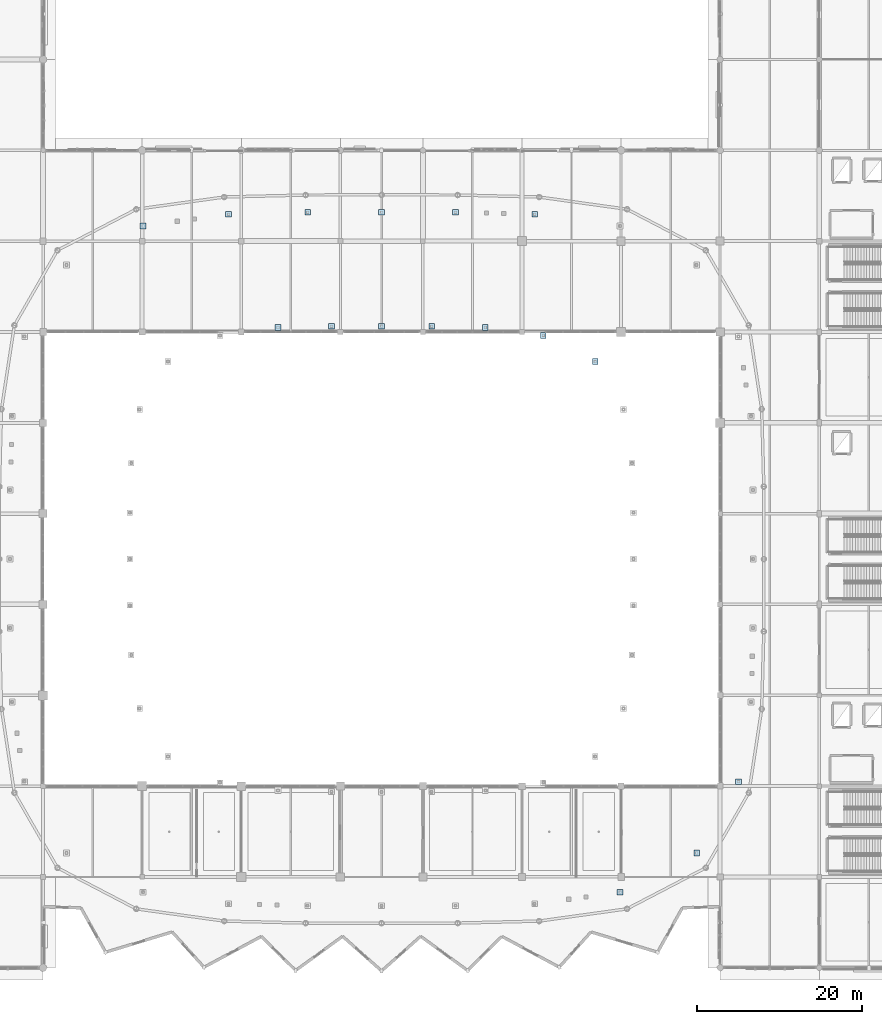
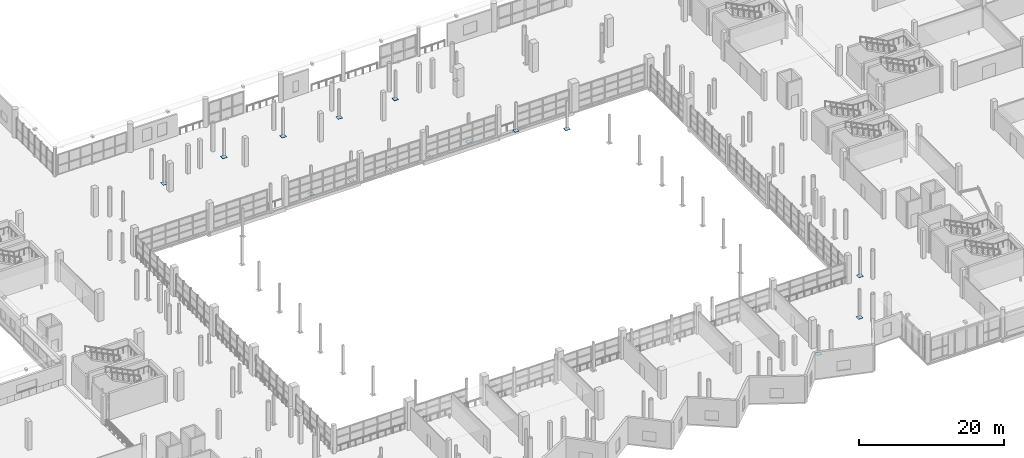
# One storey, part 87 of 143: 16 plates.
"""IFC4 building model written with IfcOpenShell, lengths in metres."""

from ifc_helpers import new_model, si_unit, direction, frame, origin, origin_2d, place, context, subcontext, project, spatial, rectangle, extrude, material, layer, layer_set, type_object, element, save


model = new_model("IFC4")

# Units and contexts
model_context = context("Model", 3, precision=1e-05, world=origin(), true_north=direction((0.0, 1.0)))
body_context = subcontext(model_context, "Body", "Model", "MODEL_VIEW")
ifc_project = project(units=[si_unit("LENGTHUNIT", "METRE"), si_unit("AREAUNIT", "SQUARE_METRE"), si_unit("VOLUMEUNIT", "CUBIC_METRE"), si_unit("PLANEANGLEUNIT", "RADIAN"), si_unit("MASSUNIT", "GRAM", prefix="KILO")], contexts=[model_context])

# Site, building, storey
site_placement = place(None, origin())
site = spatial("IfcSite", under=ifc_project, at=site_placement, CompositionType="ELEMENT")
building_placement = place(site_placement, origin())
building = spatial("IfcBuilding", under=site, at=building_placement, Name="Luwafu Chhajja Arena", CompositionType="ELEMENT")
storey_placement = place(building_placement, frame((0.0, 0.0, 5.39990234375)))
storey = spatial("IfcBuildingStorey", under=building, at=storey_placement, Name="L01", CompositionType="ELEMENT", Elevation=5.39990234375)

# Plates
ifc_material = material(Name="Steel S355", Category="steel")
ifc_layer = layer(ifc_material, 0.031982421875, Name="Steel S355")
ifc_layer_set = layer_set([ifc_layer], Name="Steel S355")
plate_type = type_object("IfcPlateType", Name="Atrium Column Base Plate BP-2", PredefinedType="USERDEFINED", material=ifc_layer_set)
for number, where, z_axis, x_axis, name in (
    (1, (124.85986328125, 73.409912109375, 0.0), (0.0, 0.0, 1.0), (1.0, 0.0, 0.0), "Raker Post Base Plate BP-2 UI05"),
    (2, (118.57666015625, 76.589111328125, 0.0), (0.0, 0.0, 1.0), (1.0, 0.0, 0.0), "Raker Post Base Plate BP-2 UI06"),
    (3, (111.560302734375, 77.536865234375, 0.0), (0.0, 0.0, 1.0), (1.0, 0.0, 0.0), "Raker Post Base Plate BP-2 UI07"),
    (4, (105.065185546875, 77.6923828125, 0.0), (0.0, 0.0, 1.0), (1.0, 0.0, 0.0), "Raker Post Base Plate BP-2 UI08"),
    (5, (99.0, 77.699951171875, 0.0), (0.0, 0.0, 1.0), (1.0, 0.0, 0.0), "Raker Post Base Plate BP-2 UI09"),
    (6, (92.934814453125, 77.6923828125, 0.0), (0.0, 0.0, 1.0), (1.0, 0.0, 0.0), "Raker Post Base Plate BP-2 UI10"),
    (7, (86.439697265625, 77.536865234375, 0.0), (0.0, 0.0, 1.0), (1.0, 0.0, 0.0), "Raker Post Base Plate BP-2 UI11"),
    (8, (117.53173828125, 91.2568359375, 0.0), (0.0, 0.0, 1.0), (1.0, 0.0, 0.0), "Raker Post Base Plate BP-2 UO07"),
    (9, (107.948486328125, 91.48876953125, 0.0), (0.0, 0.0, 1.0), (1.0, 0.0, 0.0), "Raker Post Base Plate BP-2 UO08"),
    (10, (99.0, 91.5, 0.0), (0.0, 0.0, 1.0), (1.0, 0.0, 0.0), "Raker Post Base Plate BP-2 UO09"),
    (11, (90.051513671875, 91.48876953125, 0.0), (0.0, 0.0, 1.0), (1.0, 0.0, 0.0), "Raker Post Base Plate BP-2 UO10"),
    (12, (80.46826171875, 91.2568359375, 0.0), (0.0, 0.0, 1.0), (1.0, 0.0, 0.0), "Raker Post Base Plate BP-2 UO11"),
    (13, (70.116455078125, 89.845458984375, 0.0), (0.0, 0.0, 1.0), (1.0, 0.0, 0.0), "Raker Post Base Plate BP-2 UO12"),
    (14, (127.883544921875, 9.154541015625, 0.0), (0.0, 0.0, 1.0), (1.0, 0.0, 0.0), "Raker Post Base Plate BP-2 UO28"),
    (15, (137.15380859375, 13.8896484375, 0.0), (0.0, 0.0, 1.0), (1.0, 0.0, 0.0), "Raker Post Base Plate BP-2 UO29"),
    (16, (142.227294921875, 22.5419921875, 0.0), (0.0, 0.0, 1.0), (1.0, 0.0, 0.0), "Raker Post Base Plate BP-2 UO30"),
):
    element("IfcPlate", number, at=place(storey_placement, frame(where, z_axis=z_axis, x_axis=x_axis)), inside=storey, type_object=plate_type, Name=name, ObjectType="BASE PLATE", PredefinedType="USERDEFINED", context=body_context, shape_type="SweptSolid", body=[
        extrude(rectangle(XDim=0.699951171875, YDim=0.699951171875, at=origin_2d()), origin(), (0.0, 0.0, 1.0), 0.031982421875),
    ])

save(model, "model.ifc")
